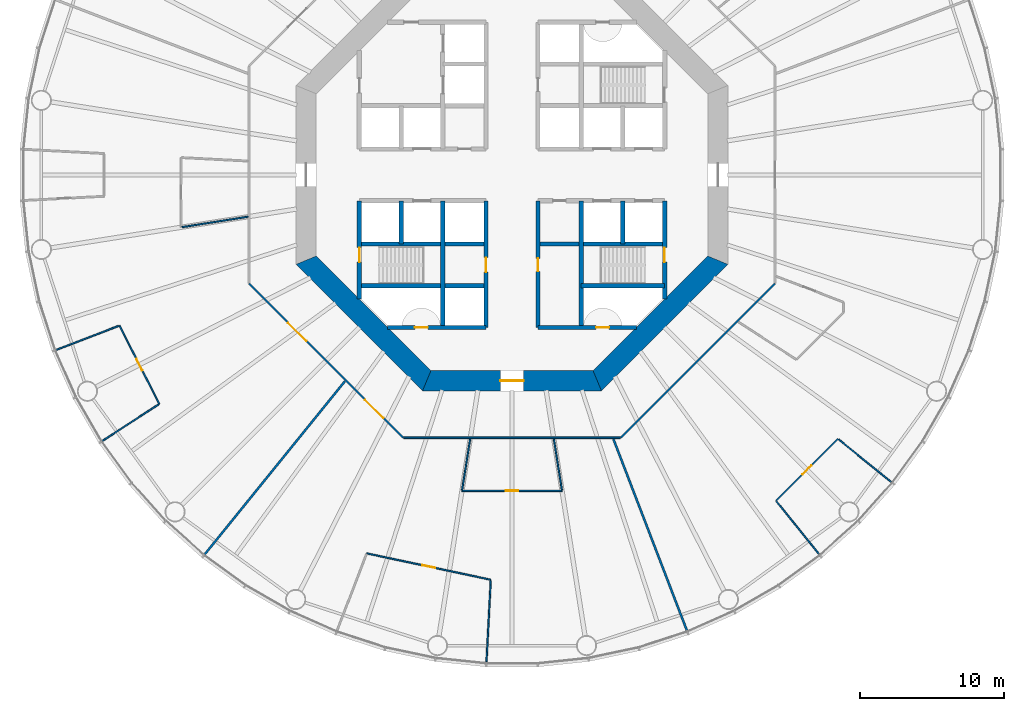
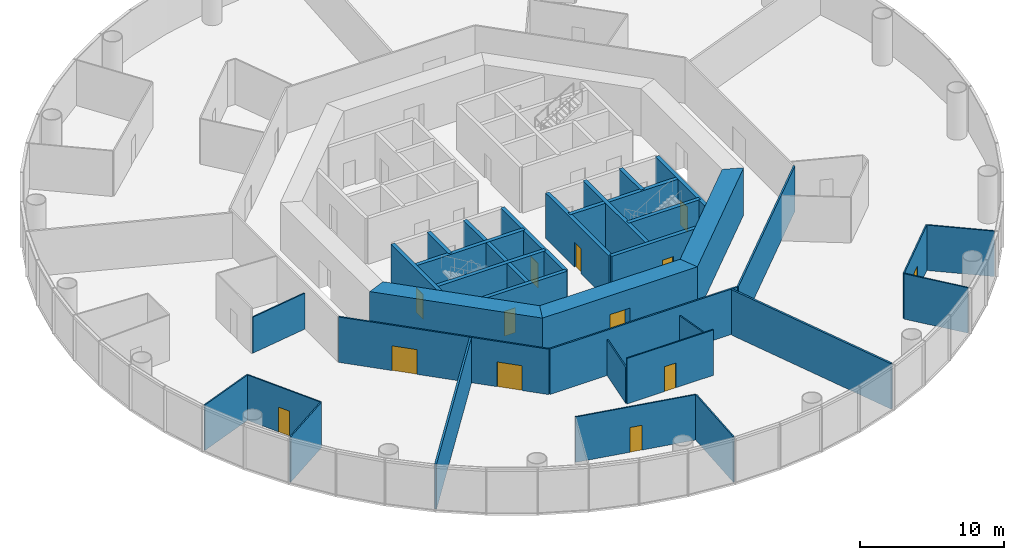
# One storey, part 3 of 13: 34 walls, 13 doors, 13 openings.
"""IFC4 building model written with IfcOpenShell, lengths in metres."""

from ifc_helpers import new_model, si_unit, direction, frame, frame_2d, origin, place, context, subcontext, project, spatial, polyline, rectangle, outline, extrude, material, layer, layer_set, type_object, element, fill, save


model = new_model("IFC4")

# Units and contexts
model_context = context("Model", 3, precision=1e-05, world=origin(), true_north=direction((0.0, 1.0)))
body_context = subcontext(model_context, "Body", "Model", "MODEL_VIEW")
ifc_project = project(units=[si_unit("LENGTHUNIT", "METRE"), si_unit("AREAUNIT", "SQUARE_METRE"), si_unit("VOLUMEUNIT", "CUBIC_METRE"), si_unit("PLANEANGLEUNIT", "RADIAN"), si_unit("MASSUNIT", "GRAM", prefix="KILO")], contexts=[model_context])

# Site, building, storey
site_placement = place(None, origin())
site = spatial("IfcSite", under=ifc_project, at=site_placement, CompositionType="ELEMENT")
building_placement = place(site_placement, origin())
building = spatial("IfcBuilding", under=site, at=building_placement, Name="Entoto Ring Tower", CompositionType="ELEMENT")
storey_placement = place(building_placement, frame((0.0, 0.0, 58.0)))
storey = spatial("IfcBuildingStorey", under=building, at=storey_placement, Name="L12", CompositionType="ELEMENT", Elevation=58.0)

# Wall, opening, door
ifc_material_1 = material(Name="Concrete C40/50", Category="concrete")
ifc_layer_1 = layer(ifc_material_1, 0.300048828125)
ifc_layer_set_1 = layer_set([ifc_layer_1], Name="Concrete C40/50")
wall_type_1 = type_object("IfcWallType", Name="Core enclosure wall 300 mm reinforced concrete", PredefinedType="SOLIDWALL", material=ifc_layer_set_1)
wall_1_placement = place(storey_placement, frame((100.60009765625, 71.36669921875, 0.0), z_axis=(0.0, 0.0, 1.0), x_axis=(0.0, 1.0, 0.0)))
wall_1 = element("IfcWall", 1, at=wall_1_placement, inside=storey, type_object=wall_type_1, Name="wall-L12-001", PredefinedType="SOLIDWALL", context=body_context, shape_type="SweptSolid", body=[
    extrude(rectangle(XDim=6.833251953125, YDim=0.300048828125, at=frame_2d((3.41650390625, 0.0))), origin(), (0.0, 0.0, 1.0), 3.85009765625),
])
opening_1_placement = place(wall_1_placement, frame((2.583251953125, 0.0, 0.0)))
opening_1 = element("IfcOpeningElement", 2, at=opening_1_placement, cuts=wall_1, Name="Opening K-59", PredefinedType="OPENING", context=body_context, shape_type="SweptSolid", body=[
    extrude(rectangle(XDim=1.0, YDim=2.10009765625, at=frame_2d((0.5, 1.050048828125))), frame((0.0, 0.16015625, 0.0), z_axis=(0.0, -1.0, 0.0), x_axis=(1.0, 0.0, 0.0)), (0.0, 0.0, 1.0), 0.320068359375),
])
ifc_material_2 = material(Name="Steel door leaf, fire rated", Category="steel")
ifc_layer_2 = layer(ifc_material_2, 0.050048828125)
ifc_layer_set_2 = layer_set([ifc_layer_2], Name="Steel door leaf, fire rated")
door_type_1 = type_object("IfcDoorType", Name="Fire door FD60 1000 x 2100 single leaf", OperationType="NOTDEFINED", PredefinedType="DOOR", material=ifc_layer_set_2)
door_1_placement = place(opening_1_placement, origin())
door_1 = element("IfcDoor", 3, at=door_1_placement, inside=storey, type_object=door_type_1, Name="Door K-59", OperationType="SINGLE_SWING_RIGHT", OverallHeight=2.10009765625, OverallWidth=1.0, PredefinedType="DOOR", context=body_context, shape_type="SweptSolid", body=[
    extrude(rectangle(XDim=1.0, YDim=2.10009765625, at=frame_2d((0.5, 1.050048828125))), frame((0.0, 0.02490234375, 0.0), z_axis=(0.0, -1.0, 0.0), x_axis=(1.0, 0.0, 0.0)), (0.0, 0.0, 1.0), 0.050048828125),
])
fill(opening_1, door_1)

# Walls
wall_2_placement = place(storey_placement, frame((97.699951171875, 75.199951171875, 0.0), z_axis=(0.0, 0.0, 1.0), x_axis=(0.0, 1.0, 0.0)))
element("IfcWall", 4, at=wall_2_placement, inside=storey, type_object=wall_type_1, Name="wall-L12-003", PredefinedType="SOLIDWALL", context=body_context, shape_type="SweptSolid", body=[
    extrude(rectangle(XDim=3.0, YDim=0.300048828125, at=frame_2d((1.5, 0.0))), origin(), (0.0, 0.0, 1.0), 3.85009765625),
])
wall_3_placement = place(storey_placement, frame((94.800048828125, 69.39990234375, 0.0), z_axis=(0.0, 0.0, 1.0), x_axis=(0.0, 1.0, 0.0)))
element("IfcWall", 5, at=wall_3_placement, inside=storey, type_object=wall_type_1, Name="wall-L12-005", PredefinedType="SOLIDWALL", context=body_context, shape_type="SweptSolid", body=[
    extrude(rectangle(XDim=8.800048828125, YDim=0.300048828125, at=frame_2d((4.39990234375, 0.0))), origin(), (0.0, 0.0, 1.0), 3.85009765625),
])

# Wall, opening, door
wall_4_placement = place(storey_placement, frame((91.800048828125, 69.39990234375, 0.0), z_axis=(0.0, 0.0, 1.0), x_axis=(0.0, 1.0, 0.0)))
wall_4 = element("IfcWall", 6, at=wall_4_placement, inside=storey, type_object=wall_type_1, Name="wall-L12-007", PredefinedType="SOLIDWALL", context=body_context, shape_type="SweptSolid", body=[
    extrude(rectangle(XDim=8.800048828125, YDim=0.300048828125, at=frame_2d((4.39990234375, 0.0))), origin(), (0.0, 0.0, 1.0), 3.85009765625),
])
opening_2_placement = place(wall_4_placement, frame((3.89990234375, 0.0, 0.0)))
opening_2 = element("IfcOpeningElement", 7, at=opening_2_placement, cuts=wall_4, Name="Opening K-12", PredefinedType="OPENING", context=body_context, shape_type="SweptSolid", body=[
    extrude(rectangle(XDim=0.89990234375, YDim=2.10009765625, at=frame_2d((0.449951171875, 1.050048828125))), frame((0.0, 0.16015625, 0.0), z_axis=(0.0, -1.0, 0.0), x_axis=(1.0, 0.0, 0.0)), (0.0, 0.0, 1.0), 0.320068359375),
])
ifc_material_3 = material(Name="Steel door leaf, fire rated", Category="steel")
ifc_layer_3 = layer(ifc_material_3, 0.050048828125)
ifc_layer_set_3 = layer_set([ifc_layer_3], Name="Steel door leaf, fire rated")
door_type_2 = type_object("IfcDoorType", Name="Core door 900 x 2100 single leaf", OperationType="NOTDEFINED", PredefinedType="DOOR", material=ifc_layer_set_3)
door_2_placement = place(opening_2_placement, frame((0.89990234375, 0.0, 0.0), z_axis=(0.0, 0.0, 1.0), x_axis=(-1.0, 0.0, 0.0)))
door_2 = element("IfcDoor", 8, at=door_2_placement, inside=storey, type_object=door_type_2, Name="Door K-12", OperationType="SINGLE_SWING_LEFT", OverallHeight=2.10009765625, OverallWidth=0.89990234375, PredefinedType="DOOR", context=body_context, shape_type="SweptSolid", body=[
    extrude(rectangle(XDim=0.89990234375, YDim=2.10009765625, at=frame_2d((0.449951171875, 1.050048828125))), frame((0.0, 0.02490234375, 0.0), z_axis=(0.0, -1.0, 0.0), x_axis=(1.0, 0.0, 0.0)), (0.0, 0.0, 1.0), 0.050048828125),
])
fill(opening_2, door_2)

wall_5_placement = place(storey_placement, frame((88.199951171875, 69.39990234375, 0.0), z_axis=(0.0, 0.0, 1.0), x_axis=(0.0, 1.0, 0.0)))
wall_5 = element("IfcWall", 9, at=wall_5_placement, inside=storey, type_object=wall_type_1, Name="wall-L12-009", PredefinedType="SOLIDWALL", context=body_context, shape_type="SweptSolid", body=[
    extrude(rectangle(XDim=8.800048828125, YDim=0.300048828125, at=frame_2d((4.39990234375, 0.0))), origin(), (0.0, 0.0, 1.0), 3.85009765625),
])
opening_3_placement = place(wall_5_placement, frame((3.85009765625, 0.0, 0.0)))
opening_3 = element("IfcOpeningElement", 10, at=opening_3_placement, cuts=wall_5, Name="Opening K-13", PredefinedType="OPENING", context=body_context, shape_type="SweptSolid", body=[
    extrude(rectangle(XDim=1.0, YDim=2.10009765625, at=frame_2d((0.5, 1.050048828125))), frame((0.0, 0.16015625, 0.0), z_axis=(0.0, -1.0, 0.0), x_axis=(1.0, 0.0, 0.0)), (0.0, 0.0, 1.0), 0.320068359375),
])
ifc_material_4 = material(Name="Steel door leaf, fire rated", Category="steel")
ifc_layer_4 = layer(ifc_material_4, 0.050048828125)
ifc_layer_set_4 = layer_set([ifc_layer_4], Name="Steel door leaf, fire rated")
door_type_3 = type_object("IfcDoorType", Name="Accessible door 1000 x 2100 single leaf", OperationType="NOTDEFINED", PredefinedType="DOOR", material=ifc_layer_set_4)
door_3_placement = place(opening_3_placement, origin())
door_3 = element("IfcDoor", 11, at=door_3_placement, inside=storey, type_object=door_type_3, Name="Door K-13", OperationType="SINGLE_SWING_LEFT", OverallHeight=2.10009765625, OverallWidth=1.0, PredefinedType="DOOR", context=body_context, shape_type="SweptSolid", body=[
    extrude(rectangle(XDim=1.0, YDim=2.10009765625, at=frame_2d((0.5, 1.050048828125))), frame((0.0, 0.02490234375, 0.0), z_axis=(0.0, -1.0, 0.0), x_axis=(1.0, 0.0, 0.0)), (0.0, 0.0, 1.0), 0.050048828125),
])
fill(opening_3, door_3)

# Walls
wall_6_placement = place(storey_placement, frame((85.199951171875, 69.39990234375, 0.0), z_axis=(0.0, 0.0, 1.0), x_axis=(0.0, 1.0, 0.0)))
element("IfcWall", 12, at=wall_6_placement, inside=storey, type_object=wall_type_1, Name="wall-L12-011", PredefinedType="SOLIDWALL", context=body_context, shape_type="SweptSolid", body=[
    extrude(rectangle(XDim=8.800048828125, YDim=0.300048828125, at=frame_2d((4.39990234375, 0.0))), origin(), (0.0, 0.0, 1.0), 3.85009765625),
])
wall_7_placement = place(storey_placement, frame((82.300048828125, 75.199951171875, 0.0), z_axis=(0.0, 0.0, 1.0), x_axis=(0.0, 1.0, 0.0)))
element("IfcWall", 13, at=wall_7_placement, inside=storey, type_object=wall_type_1, Name="wall-L12-013", PredefinedType="SOLIDWALL", context=body_context, shape_type="SweptSolid", body=[
    extrude(rectangle(XDim=3.0, YDim=0.300048828125, at=frame_2d((1.5, 0.0))), origin(), (0.0, 0.0, 1.0), 3.85009765625),
])

# Wall, opening, door
wall_8_placement = place(storey_placement, frame((79.39990234375, 71.36669921875, 0.0), z_axis=(0.0, 0.0, 1.0), x_axis=(0.0, 1.0, 0.0)))
wall_8 = element("IfcWall", 14, at=wall_8_placement, inside=storey, type_object=wall_type_1, Name="wall-L12-015", PredefinedType="SOLIDWALL", context=body_context, shape_type="SweptSolid", body=[
    extrude(rectangle(XDim=6.833251953125, YDim=0.300048828125, at=frame_2d((3.41650390625, 0.0))), origin(), (0.0, 0.0, 1.0), 3.85009765625),
])
opening_4_placement = place(wall_8_placement, frame((2.583251953125, 0.0, 0.0)))
opening_4 = element("IfcOpeningElement", 15, at=opening_4_placement, cuts=wall_8, Name="Opening K-17", PredefinedType="OPENING", context=body_context, shape_type="SweptSolid", body=[
    extrude(rectangle(XDim=1.0, YDim=2.10009765625, at=frame_2d((0.5, 1.050048828125))), frame((0.0, 0.16015625, 0.0), z_axis=(0.0, -1.0, 0.0), x_axis=(1.0, 0.0, 0.0)), (0.0, 0.0, 1.0), 0.320068359375),
])
door_4_placement = place(opening_4_placement, frame((1.0, 0.0, 0.0), z_axis=(0.0, 0.0, 1.0), x_axis=(-1.0, 0.0, 0.0)))
door_4 = element("IfcDoor", 16, at=door_4_placement, inside=storey, type_object=door_type_1, Name="Door K-17", OperationType="SINGLE_SWING_LEFT", OverallHeight=2.10009765625, OverallWidth=1.0, PredefinedType="DOOR", context=body_context, shape_type="SweptSolid", body=[
    extrude(rectangle(XDim=1.0, YDim=2.10009765625, at=frame_2d((0.5, 1.050048828125))), frame((0.0, 0.02490234375, 0.0), z_axis=(0.0, -1.0, 0.0), x_axis=(1.0, 0.0, 0.0)), (0.0, 0.0, 1.0), 0.050048828125),
])
fill(opening_4, door_4)

wall_9_placement = place(storey_placement, frame((81.36669921875, 69.39990234375, 0.0), z_axis=(0.0, 0.0, 1.0), x_axis=(1.0, 0.0, 0.0)))
wall_9 = element("IfcWall", 17, at=wall_9_placement, inside=storey, type_object=wall_type_1, Name="wall-L12-017", PredefinedType="SOLIDWALL", context=body_context, shape_type="SweptSolid", body=[
    extrude(rectangle(XDim=6.833251953125, YDim=0.300048828125, at=frame_2d((3.41650390625, 0.0))), origin(), (0.0, 0.0, 1.0), 3.85009765625),
])
opening_5_placement = place(wall_9_placement, frame((1.88330078125, 0.0, 0.0)))
opening_5 = element("IfcOpeningElement", 18, at=opening_5_placement, cuts=wall_9, Name="Opening K-20", PredefinedType="OPENING", context=body_context, shape_type="SweptSolid", body=[
    extrude(rectangle(XDim=0.89990234375, YDim=2.10009765625, at=frame_2d((0.449951171875, 1.050048828125))), frame((0.0, 0.16015625, 0.0), z_axis=(0.0, -1.0, 0.0), x_axis=(1.0, 0.0, 0.0)), (0.0, 0.0, 1.0), 0.320068359375),
])
ifc_material_5 = material(Name="Steel door leaf, fire rated", Category="steel")
ifc_layer_5 = layer(ifc_material_5, 0.050048828125)
ifc_layer_set_5 = layer_set([ifc_layer_5], Name="Steel door leaf, fire rated")
door_type_4 = type_object("IfcDoorType", Name="Riser door FD60 900 x 2100 single leaf", OperationType="NOTDEFINED", PredefinedType="DOOR", material=ifc_layer_set_5)
door_5_placement = place(opening_5_placement, origin())
door_5 = element("IfcDoor", 19, at=door_5_placement, inside=storey, type_object=door_type_4, Name="Door K-20", OperationType="SINGLE_SWING_RIGHT", OverallHeight=2.10009765625, OverallWidth=0.89990234375, PredefinedType="DOOR", context=body_context, shape_type="SweptSolid", body=[
    extrude(rectangle(XDim=0.89990234375, YDim=2.10009765625, at=frame_2d((0.449951171875, 1.050048828125))), frame((0.0, 0.02490234375, 0.0), z_axis=(0.0, -1.0, 0.0), x_axis=(1.0, 0.0, 0.0)), (0.0, 0.0, 1.0), 0.050048828125),
])
fill(opening_5, door_5)

wall_10_placement = place(storey_placement, frame((91.800048828125, 69.39990234375, 0.0), z_axis=(0.0, 0.0, 1.0), x_axis=(1.0, 0.0, 0.0)))
wall_10 = element("IfcWall", 20, at=wall_10_placement, inside=storey, type_object=wall_type_1, Name="wall-L12-018", PredefinedType="SOLIDWALL", context=body_context, shape_type="SweptSolid", body=[
    extrude(rectangle(XDim=6.833251953125, YDim=0.300048828125, at=frame_2d((3.41650390625, 0.0))), origin(), (0.0, 0.0, 1.0), 3.85009765625),
])
opening_6_placement = place(wall_10_placement, frame((4.050048828125, 0.0, 0.0)))
opening_6 = element("IfcOpeningElement", 21, at=opening_6_placement, cuts=wall_10, Name="Opening K-66", PredefinedType="OPENING", context=body_context, shape_type="SweptSolid", body=[
    extrude(rectangle(XDim=0.89990234375, YDim=2.10009765625, at=frame_2d((0.449951171875, 1.050048828125))), frame((0.0, 0.16015625, 0.0), z_axis=(0.0, -1.0, 0.0), x_axis=(1.0, 0.0, 0.0)), (0.0, 0.0, 1.0), 0.320068359375),
])
door_6_placement = place(opening_6_placement, origin())
door_6 = element("IfcDoor", 22, at=door_6_placement, inside=storey, type_object=door_type_4, Name="Door K-66", OperationType="SINGLE_SWING_LEFT", OverallHeight=2.10009765625, OverallWidth=0.89990234375, PredefinedType="DOOR", context=body_context, shape_type="SweptSolid", body=[
    extrude(rectangle(XDim=0.89990234375, YDim=2.10009765625, at=frame_2d((0.449951171875, 1.050048828125))), frame((0.0, 0.02490234375, 0.0), z_axis=(0.0, -1.0, 0.0), x_axis=(1.0, 0.0, 0.0)), (0.0, 0.0, 1.0), 0.050048828125),
])
fill(opening_6, door_6)

# Walls
wall_11_placement = place(storey_placement, frame((79.39990234375, 72.300048828125, 0.0), z_axis=(0.0, 0.0, 1.0), x_axis=(1.0, 0.0, 0.0)))
element("IfcWall", 23, at=wall_11_placement, inside=storey, type_object=wall_type_1, Name="wall-L12-019", PredefinedType="SOLIDWALL", context=body_context, shape_type="SweptSolid", body=[
    extrude(rectangle(XDim=8.800048828125, YDim=0.300048828125, at=frame_2d((4.39990234375, 0.0))), origin(), (0.0, 0.0, 1.0), 3.85009765625),
])
wall_12_placement = place(storey_placement, frame((94.800048828125, 72.300048828125, 0.0), z_axis=(0.0, 0.0, 1.0), x_axis=(1.0, 0.0, 0.0)))
element("IfcWall", 24, at=wall_12_placement, inside=storey, type_object=wall_type_1, Name="wall-L12-020", PredefinedType="SOLIDWALL", context=body_context, shape_type="SweptSolid", body=[
    extrude(rectangle(XDim=5.800048828125, YDim=0.300048828125, at=frame_2d((2.89990234375, 0.0))), origin(), (0.0, 0.0, 1.0), 3.85009765625),
])
for number, where, z_axis, x_axis, name in (
    (25, (79.39990234375, 75.199951171875, 0.0), (0.0, 0.0, 1.0), (1.0, 0.0, 0.0), "wall-L12-021"),
    (26, (91.800048828125, 75.199951171875, 0.0), (0.0, 0.0, 1.0), (1.0, 0.0, 0.0), "wall-L12-022"),
):
    element("IfcWall", number, at=place(storey_placement, frame(where, z_axis=z_axis, x_axis=x_axis)), inside=storey, type_object=wall_type_1, Name=name, PredefinedType="SOLIDWALL", context=body_context, shape_type="SweptSolid", body=[
        extrude(rectangle(XDim=8.800048828125, YDim=0.300048828125, at=frame_2d((4.39990234375, 0.0))), origin(), (0.0, 0.0, 1.0), 3.85009765625),
    ])
ifc_material_6 = material(Name="Concrete C60/75", Category="concrete")
ifc_layer_6 = layer(ifc_material_6, 1.39990234375)
ifc_layer_set_6 = layer_set([ifc_layer_6], Name="Concrete C60/75")
wall_type_2 = type_object("IfcWallType", Name="Core shear wall 1400 mm reinforced concrete C60/75", PredefinedType="SHEAR", material=ifc_layer_set_6)
wall_13_placement = place(storey_placement, frame((75.699951171875, 74.07666015625, 0.0), z_axis=(0.0, 0.0, 1.0), x_axis=(0.707106781187, -0.707106781187, 0.0)))
element("IfcWall", 27, at=wall_13_placement, inside=storey, type_object=wall_type_2, Name="wall-L12-core-5", PredefinedType="SHEAR", context=body_context, shape_type="SweptSolid", body=[
    extrude(outline(polyline([(-0.2900390625, -0.699951171875), (12.136474609375, -0.699951171875), (11.556396484375, 0.699951171875), (0.2900390625, 0.699951171875), (-0.2900390625, -0.699951171875)])), origin(), (0.0, 0.0, 1.0), 4.0),
])

# Wall, opening, door
wall_14_placement = place(storey_placement, frame((84.07666015625, 65.699951171875, 0.0), z_axis=(0.0, 0.0, 1.0), x_axis=(1.0, 0.0, 0.0)))
wall_14 = element("IfcWall", 28, at=wall_14_placement, inside=storey, type_object=wall_type_2, Name="wall-L12-core-6", PredefinedType="SHEAR", context=body_context, shape_type="SweptSolid", body=[
    extrude(outline(polyline([(-0.2900390625, -0.699951171875), (12.13671875, -0.699951171875), (11.556640625, 0.699951171875), (0.2900390625, 0.699951171875), (-0.2900390625, -0.699951171875)])), origin(), (0.0, 0.0, 1.0), 4.0),
])
opening_7_placement = place(wall_14_placement, frame((5.123291015625, 0.0, 0.0)))
opening_7 = element("IfcOpeningElement", 29, at=opening_7_placement, cuts=wall_14, Name="Opening K-04", PredefinedType="OPENING", context=body_context, shape_type="SweptSolid", body=[
    extrude(rectangle(XDim=1.60009765625, YDim=2.39990234375, at=frame_2d((0.800048828125, 1.199951171875))), frame((0.0, 0.7099609375, 0.0), z_axis=(0.0, -1.0, 0.0), x_axis=(1.0, 0.0, 0.0)), (0.0, 0.0, 1.0), 1.419921875),
])
ifc_material_7 = material(Name="Steel door leaf, fire rated", Category="steel")
ifc_layer_7 = layer(ifc_material_7, 0.050048828125)
ifc_layer_set_7 = layer_set([ifc_layer_7], Name="Steel door leaf, fire rated")
door_type_5 = type_object("IfcDoorType", Name="Entrance door FD60 1600 x 2400 double leaf", OperationType="DOUBLE_DOOR_SINGLE_SWING", PredefinedType="DOOR", material=ifc_layer_set_7)
door_7_placement = place(opening_7_placement, origin())
door_7 = element("IfcDoor", 30, at=door_7_placement, inside=storey, type_object=door_type_5, Name="Entrance door K-04", OperationType="DOUBLE_DOOR_SINGLE_SWING", OverallHeight=2.39990234375, OverallWidth=1.60009765625, PredefinedType="DOOR", context=body_context, shape_type="SweptSolid", body=[
    extrude(rectangle(XDim=1.60009765625, YDim=2.39990234375, at=frame_2d((0.800048828125, 1.199951171875))), frame((0.0, 0.02490234375, 0.0), z_axis=(0.0, -1.0, 0.0), x_axis=(1.0, 0.0, 0.0)), (0.0, 0.0, 1.0), 0.050048828125),
])
fill(opening_7, door_7)

# Wall
wall_15_placement = place(storey_placement, frame((95.92333984375, 65.699951171875, 0.0), z_axis=(0.0, 0.0, 1.0), x_axis=(0.707106781187, 0.707106781187, 0.0)))
element("IfcWall", 31, at=wall_15_placement, inside=storey, type_object=wall_type_2, Name="wall-L12-core-7", PredefinedType="SHEAR", context=body_context, shape_type="SweptSolid", body=[
    extrude(outline(polyline([(-0.2900390625, -0.699951171875), (12.136474609375, -0.699951171875), (11.556396484375, 0.699951171875), (0.2900390625, 0.699951171875), (-0.2900390625, -0.699951171875)])), origin(), (0.0, 0.0, 1.0), 4.0),
])

# Wall, openings, doors
ifc_material_8 = material(Name="Fire-resisting plasterboard on steel studs", Category="steel")
ifc_layer_8 = layer(ifc_material_8, 0.125)
ifc_layer_set_8 = layer_set([ifc_layer_8], Name="Fire-resisting plasterboard on steel studs")
wall_type_3 = type_object("IfcWallType", Name="Corridor wall 125 mm one-hour plasterboard on steel studs", PredefinedType="PARTITIONING", material=ifc_layer_set_8)
wall_16_placement = place(storey_placement, frame((82.435302734375, 61.737548828125, 0.0), z_axis=(0.0, 0.0, 1.0), x_axis=(-0.707106781187, 0.707106781187, 0.0)))
wall_16 = element("IfcWall", 32, at=wall_16_placement, inside=storey, type_object=wall_type_3, Name="partition-L12-002", PredefinedType="PARTITIONING", context=body_context, shape_type="SweptSolid", body=[
    extrude(rectangle(XDim=15.12890625, YDim=0.125, at=frame_2d((7.564453125, 0.0))), origin(), (0.0, 0.0, 1.0), 3.85009765625),
])
opening_8_placement = place(wall_16_placement, frame((9.487060546875, 0.0, 0.0)))
opening_8 = element("IfcOpeningElement", 33, at=opening_8_placement, cuts=wall_16, Name="Opening A05-D01", PredefinedType="OPENING", context=body_context, shape_type="SweptSolid", body=[
    extrude(rectangle(XDim=1.800048828125, YDim=2.10009765625, at=frame_2d((0.89990234375, 1.050048828125))), frame((0.0, 0.072509765625, 0.0), z_axis=(0.0, -1.0, 0.0), x_axis=(1.0, 0.0, 0.0)), (0.0, 0.0, 1.0), 0.14501953125),
])
opening_9_placement = place(wall_16_placement, frame((1.922607421875, 0.0, 0.0)))
opening_9 = element("IfcOpeningElement", 34, at=opening_9_placement, cuts=wall_16, Name="Opening A05-D05", PredefinedType="OPENING", context=body_context, shape_type="SweptSolid", body=[
    extrude(rectangle(XDim=1.800048828125, YDim=2.10009765625, at=frame_2d((0.89990234375, 1.050048828125))), frame((0.0, 0.072509765625, 0.0), z_axis=(0.0, -1.0, 0.0), x_axis=(1.0, 0.0, 0.0)), (0.0, 0.0, 1.0), 0.14501953125),
])
ifc_material_9 = material(Name="Fire-resisting timber door set", Category="wood")
door_type_6 = type_object("IfcDoorType", Name="Door 1800 x 2100 double leaf FD30S fire door", OperationType="DOUBLE_DOOR_SINGLE_SWING", PredefinedType="DOOR", material=ifc_material_9)
door_8_placement = place(opening_8_placement, origin())
door_8 = element("IfcDoor", 35, at=door_8_placement, inside=storey, type_object=door_type_6, Name="Door A05-D01", OperationType="DOUBLE_DOOR_SINGLE_SWING", OverallHeight=2.10009765625, OverallWidth=1.800048828125, PredefinedType="DOOR", context=body_context, shape_type="SweptSolid", body=[
    extrude(rectangle(XDim=1.800048828125, YDim=2.10009765625, at=frame_2d((0.89990234375, 1.050048828125))), frame((0.0, 0.02490234375, 0.0), z_axis=(0.0, -1.0, 0.0), x_axis=(1.0, 0.0, 0.0)), (0.0, 0.0, 1.0), 0.050048828125),
])
fill(opening_8, door_8)
door_9_placement = place(opening_9_placement, origin())
door_9 = element("IfcDoor", 36, at=door_9_placement, inside=storey, type_object=door_type_6, Name="Door A05-D05", OperationType="DOUBLE_DOOR_SINGLE_SWING", OverallHeight=2.10009765625, OverallWidth=1.800048828125, PredefinedType="DOOR", context=body_context, shape_type="SweptSolid", body=[
    extrude(rectangle(XDim=1.800048828125, YDim=2.10009765625, at=frame_2d((0.89990234375, 1.050048828125))), frame((0.0, 0.02490234375, 0.0), z_axis=(0.0, -1.0, 0.0), x_axis=(1.0, 0.0, 0.0)), (0.0, 0.0, 1.0), 0.050048828125),
])
fill(opening_9, door_9)

# Walls
wall_17_placement = place(storey_placement, frame((97.564697265625, 61.737548828125, 0.0), z_axis=(0.0, 0.0, 1.0), x_axis=(0.707106781187, 0.707106781187, 0.0)))
element("IfcWall", 37, at=wall_17_placement, inside=storey, type_object=wall_type_3, Name="partition-L12-003", PredefinedType="PARTITIONING", context=body_context, shape_type="SweptSolid", body=[
    extrude(rectangle(XDim=15.12890625, YDim=0.125, at=frame_2d((7.564453125, 0.0))), origin(), (0.0, 0.0, 1.0), 3.85009765625),
])
wall_18_placement = place(storey_placement, frame((82.4794921875, 61.737548828125, 0.0), z_axis=(0.0, 0.0, 1.0), x_axis=(1.0, 0.0, 0.0)))
element("IfcWall", 38, at=wall_18_placement, inside=storey, type_object=wall_type_3, Name="partition-L12-006", PredefinedType="PARTITIONING", context=body_context, shape_type="SweptSolid", body=[
    extrude(rectangle(XDim=15.041015625, YDim=0.125, at=frame_2d((7.5205078125, 0.0))), origin(), (0.0, 0.0, 1.0), 3.85009765625),
])

# Wall, opening, door
ifc_material_10 = material(Name="Plasterboard on steel studs", Category="steel")
ifc_layer_9 = layer(ifc_material_10, 0.10009765625)
ifc_layer_set_9 = layer_set([ifc_layer_9], Name="Plasterboard on steel studs")
wall_type_4 = type_object("IfcWallType", Name="Partition 100 mm plasterboard on steel studs", PredefinedType="PARTITIONING", material=ifc_layer_set_9)
wall_19_placement = place(storey_placement, frame((88.526123046875, 51.878662109375, 0.0), z_axis=(0.0, 0.0, 1.0), x_axis=(-0.978146594853, 0.20791642306, 0.0)))
wall_19 = element("IfcWall", 39, at=wall_19_placement, inside=storey, type_object=wall_type_4, Name="partition-L12-014", PredefinedType="PARTITIONING", context=body_context, shape_type="SweptSolid", body=[
    extrude(rectangle(XDim=8.810302734375, YDim=0.10009765625, at=frame_2d((4.4052734375, 0.0))), origin(), (0.0, 0.0, 1.0), 3.85009765625),
])
opening_10_placement = place(wall_19_placement, frame((3.955078125, 0.0, 0.0)))
opening_10 = element("IfcOpeningElement", 40, at=opening_10_placement, cuts=wall_19, Name="Opening A05-D07", PredefinedType="OPENING", context=body_context, shape_type="SweptSolid", body=[
    extrude(rectangle(XDim=0.89990234375, YDim=2.10009765625, at=frame_2d((0.449951171875, 1.050048828125))), frame((0.0, 0.06005859375, 0.0), z_axis=(0.0, -1.0, 0.0), x_axis=(1.0, 0.0, 0.0)), (0.0, 0.0, 1.0), 0.1201171875),
])
ifc_material_11 = material(Name="Veneered timber door leaf in timber frame", Category="wood")
door_type_7 = type_object("IfcDoorType", Name="Door 900 x 2100 single leaf timber veneer", OperationType="NOTDEFINED", PredefinedType="DOOR", material=ifc_material_11)
door_10_placement = place(opening_10_placement, origin())
door_10 = element("IfcDoor", 41, at=door_10_placement, inside=storey, type_object=door_type_7, Name="Door A05-D07", OperationType="SINGLE_SWING_RIGHT", OverallHeight=2.10009765625, OverallWidth=0.89990234375, PredefinedType="DOOR", context=body_context, shape_type="SweptSolid", body=[
    extrude(rectangle(XDim=0.89990234375, YDim=2.10009765625, at=frame_2d((0.449951171875, 1.050048828125))), frame((0.0, 0.02490234375, 0.0), z_axis=(0.0, -1.0, 0.0), x_axis=(1.0, 0.0, 0.0)), (0.0, 0.0, 1.0), 0.050048828125),
])
fill(opening_10, door_10)

wall_20_placement = place(storey_placement, frame((86.524658203125, 58.0576171875, 0.0), z_axis=(0.0, 0.0, 1.0), x_axis=(1.0, 0.0, 0.0)))
wall_20 = element("IfcWall", 42, at=wall_20_placement, inside=storey, type_object=wall_type_4, Name="partition-L12-018", PredefinedType="PARTITIONING", context=body_context, shape_type="SweptSolid", body=[
    extrude(rectangle(XDim=6.95068359375, YDim=0.10009765625, at=frame_2d((3.475341796875, 0.0))), origin(), (0.0, 0.0, 1.0), 3.85009765625),
])
opening_11_placement = place(wall_20_placement, frame((3.025390625, 0.0, 0.0)))
opening_11 = element("IfcOpeningElement", 43, at=opening_11_placement, cuts=wall_20, Name="Opening A05-D06", PredefinedType="OPENING", context=body_context, shape_type="SweptSolid", body=[
    extrude(rectangle(XDim=0.89990234375, YDim=2.10009765625, at=frame_2d((0.449951171875, 1.050048828125))), frame((0.0, 0.06005859375, 0.0), z_axis=(0.0, -1.0, 0.0), x_axis=(1.0, 0.0, 0.0)), (0.0, 0.0, 1.0), 0.1201171875),
])
door_11_placement = place(opening_11_placement, origin())
door_11 = element("IfcDoor", 44, at=door_11_placement, inside=storey, type_object=door_type_7, Name="Door A05-D06", OperationType="SINGLE_SWING_RIGHT", OverallHeight=2.10009765625, OverallWidth=0.89990234375, PredefinedType="DOOR", context=body_context, shape_type="SweptSolid", body=[
    extrude(rectangle(XDim=0.89990234375, YDim=2.10009765625, at=frame_2d((0.449951171875, 1.050048828125))), frame((0.0, 0.02490234375, 0.0), z_axis=(0.0, -1.0, 0.0), x_axis=(1.0, 0.0, 0.0)), (0.0, 0.0, 1.0), 0.050048828125),
])
fill(opening_11, door_11)

wall_21_placement = place(storey_placement, frame((65.50244140625, 64.091064453125, 0.0), z_axis=(0.0, 0.0, 1.0), x_axis=(-0.454013220011, 0.890994947267, 0.0)))
wall_21 = element("IfcWall", 45, at=wall_21_placement, inside=storey, type_object=wall_type_4, Name="partition-L12-019", PredefinedType="PARTITIONING", context=body_context, shape_type="SweptSolid", body=[
    extrude(rectangle(XDim=6.1064453125, YDim=0.10009765625, at=frame_2d((3.05322265625, 0.0))), origin(), (0.0, 0.0, 1.0), 3.85009765625),
])
opening_12_placement = place(wall_21_placement, frame((2.603271484375, 0.0, 0.0)))
opening_12 = element("IfcOpeningElement", 46, at=opening_12_placement, cuts=wall_21, Name="Opening A05-D04", PredefinedType="OPENING", context=body_context, shape_type="SweptSolid", body=[
    extrude(rectangle(XDim=0.89990234375, YDim=2.10009765625, at=frame_2d((0.449951171875, 1.050048828125))), frame((0.0, 0.06005859375, 0.0), z_axis=(0.0, -1.0, 0.0), x_axis=(1.0, 0.0, 0.0)), (0.0, 0.0, 1.0), 0.1201171875),
])
door_12_placement = place(opening_12_placement, origin())
door_12 = element("IfcDoor", 47, at=door_12_placement, inside=storey, type_object=door_type_7, Name="Door A05-D04", OperationType="SINGLE_SWING_RIGHT", OverallHeight=2.10009765625, OverallWidth=0.89990234375, PredefinedType="DOOR", context=body_context, shape_type="SweptSolid", body=[
    extrude(rectangle(XDim=0.89990234375, YDim=2.10009765625, at=frame_2d((0.449951171875, 1.050048828125))), frame((0.0, 0.02490234375, 0.0), z_axis=(0.0, -1.0, 0.0), x_axis=(1.0, 0.0, 0.0)), (0.0, 0.0, 1.0), 0.050048828125),
])
fill(opening_12, door_12)

wall_22_placement = place(storey_placement, frame((108.33837890625, 57.35400390625, 0.0), z_axis=(0.0, 0.0, 1.0), x_axis=(0.707106781187, 0.707106781187, 0.0)))
wall_22 = element("IfcWall", 48, at=wall_22_placement, inside=storey, type_object=wall_type_4, Name="partition-L12-020", PredefinedType="PARTITIONING", context=body_context, shape_type="SweptSolid", body=[
    extrude(rectangle(XDim=6.091796875, YDim=0.10009765625, at=frame_2d((3.0458984375, 0.0))), origin(), (0.0, 0.0, 1.0), 3.85009765625),
])
opening_13_placement = place(wall_22_placement, frame((2.595947265625, 0.0, 0.0)))
opening_13 = element("IfcOpeningElement", 49, at=opening_13_placement, cuts=wall_22, Name="Opening A05-D10", PredefinedType="OPENING", context=body_context, shape_type="SweptSolid", body=[
    extrude(rectangle(XDim=0.89990234375, YDim=2.10009765625, at=frame_2d((0.449951171875, 1.050048828125))), frame((0.0, 0.06005859375, 0.0), z_axis=(0.0, -1.0, 0.0), x_axis=(1.0, 0.0, 0.0)), (0.0, 0.0, 1.0), 0.1201171875),
])
door_13_placement = place(opening_13_placement, frame((0.89990234375, 0.0, 0.0), z_axis=(0.0, 0.0, 1.0), x_axis=(-1.0, 0.0, 0.0)))
door_13 = element("IfcDoor", 50, at=door_13_placement, inside=storey, type_object=door_type_7, Name="Door A05-D10", OperationType="SINGLE_SWING_LEFT", OverallHeight=2.10009765625, OverallWidth=0.89990234375, PredefinedType="DOOR", context=body_context, shape_type="SweptSolid", body=[
    extrude(rectangle(XDim=0.89990234375, YDim=2.10009765625, at=frame_2d((0.449951171875, 1.050048828125))), frame((0.0, 0.02490234375, 0.0), z_axis=(0.0, -1.0, 0.0), x_axis=(1.0, 0.0, 0.0)), (0.0, 0.0, 1.0), 0.050048828125),
])
fill(opening_13, door_13)

# Walls
wall_23_placement = place(storey_placement, frame((88.2236328125, 46.1064453125, 0.0), z_axis=(0.0, 0.0, 1.0), x_axis=(0.052357591588, 0.998628400659, 0.0)))
element("IfcWall", 51, at=wall_23_placement, inside=storey, type_object=wall_type_4, Name="partition-L12-026", PredefinedType="PARTITIONING", context=body_context, shape_type="SweptSolid", body=[
    extrude(rectangle(XDim=5.730712890625, YDim=0.10009765625, at=frame_2d((2.865234375, 0.0))), origin(), (0.0, 0.0, 1.0), 3.85009765625),
])
for number, where, z_axis, x_axis, name in (
    (52, (111.359130859375, 53.623779296875, 0.0), (0.0, 0.0, 1.0), (-0.629328325934, 0.777139535847, 0.0), "partition-L12-034"),
    (53, (116.376220703125, 58.640869140625, 0.0), (0.0, 0.0, 1.0), (-0.777139535847, 0.629328325934, 0.0), "partition-L12-035"),
):
    element("IfcWall", number, at=place(storey_placement, frame(where, z_axis=z_axis, x_axis=x_axis)), inside=storey, type_object=wall_type_4, Name=name, PredefinedType="PARTITIONING", context=body_context, shape_type="SweptSolid", body=[
        extrude(rectangle(XDim=4.750244140625, YDim=0.10009765625, at=frame_2d((2.375, 0.0))), origin(), (0.0, 0.0, 1.0), 3.85009765625),
    ])
for number, where, z_axis, x_axis, name in (
    (54, (58.314208984375, 67.8369140625, 0.0), (0.0, 0.0, 1.0), (0.933563228865, 0.358412747697, 0.0), "partition-L12-037"),
    (55, (61.535400390625, 61.514892578125, 0.0), (0.0, 0.0, 1.0), (0.838674744325, 0.5446326039, 0.0), "partition-L12-038"),
):
    element("IfcWall", number, at=place(storey_placement, frame(where, z_axis=z_axis, x_axis=x_axis)), inside=storey, type_object=wall_type_4, Name=name, PredefinedType="PARTITIONING", context=body_context, shape_type="SweptSolid", body=[
        extrude(rectangle(XDim=4.680419921875, YDim=0.10009765625, at=frame_2d((2.34033203125, 0.0))), origin(), (0.0, 0.0, 1.0), 3.85009765625),
    ])
ifc_material_12 = material(Name="Plasterboard on steel studs", Category="steel")
ifc_layer_10 = layer(ifc_material_12, 0.10009765625)
ifc_layer_set_10 = layer_set([ifc_layer_10], Name="Plasterboard on steel studs")
wall_type_5 = type_object("IfcWallType", Name="Partition 100 mm plasterboard on steel studs, 3050 mm high", PredefinedType="PARTITIONING", material=ifc_layer_set_10)
wall_24_placement = place(storey_placement, frame((67.0751953125, 76.369140625, 0.0), z_axis=(0.0, 0.0, 1.0), x_axis=(0.987688770103, 0.156431753211, 0.0)))
element("IfcWall", 56, at=wall_24_placement, inside=storey, type_object=wall_type_5, Name="partition-L12-036", PredefinedType="PARTITIONING", context=body_context, shape_type="SweptSolid", body=[
    extrude(rectangle(XDim=4.649169921875, YDim=0.10009765625, at=frame_2d((2.32470703125, 0.0))), origin(), (0.0, 0.0, 1.0), 3.050048828125),
])
for number, where, z_axis, x_axis, name in (
    (57, (86.53369140625, 58.115234375, 0.0), (0.0, 0.0, 1.0), (0.156478489952, 0.987681366728, 0.0), "partition-L12-043"),
    (58, (93.46630859375, 58.115234375, 0.0), (0.0, 0.0, 1.0), (-0.156478489952, 0.987681366728, 0.0), "partition-L12-044"),
):
    element("IfcWall", number, at=place(storey_placement, frame(where, z_axis=z_axis, x_axis=x_axis)), inside=storey, type_object=wall_type_5, Name=name, PredefinedType="PARTITIONING", context=body_context, shape_type="SweptSolid", body=[
        extrude(rectangle(XDim=3.59619140625, YDim=0.10009765625, at=frame_2d((1.798095703125, 0.0))), origin(), (0.0, 0.0, 1.0), 3.050048828125),
    ])
ifc_material_13 = material(Name="Fire-resisting acoustic plasterboard on steel studs", Category="steel")
ifc_layer_11 = layer(ifc_material_13, 0.14990234375)
ifc_layer_set_11 = layer_set([ifc_layer_11], Name="Fire-resisting acoustic plasterboard on steel studs")
wall_type_6 = type_object("IfcWallType", Name="Party wall 150 mm one-hour acoustic plasterboard on steel studs", PredefinedType="PARTITIONING", material=ifc_layer_set_11)
wall_25_placement = place(storey_placement, frame((68.640869140625, 53.623779296875, 0.0), z_axis=(0.0, 0.0, 1.0), x_axis=(0.62931915396, 0.777146963231, 0.0)))
element("IfcWall", 59, at=wall_25_placement, inside=storey, type_object=wall_type_6, Name="partition-L12-010", PredefinedType="PARTITIONING", context=body_context, shape_type="SweptSolid", body=[
    extrude(rectangle(XDim=15.506103515625, YDim=0.14990234375, at=frame_2d((7.7529296875, 0.0))), origin(), (0.0, 0.0, 1.0), 3.85009765625),
])
wall_26_placement = place(storey_placement, frame((102.1630859375, 48.314208984375, 0.0), z_axis=(0.0, 0.0, 1.0), x_axis=(-0.358366189501, 0.933581102113, 0.0)))
element("IfcWall", 60, at=wall_26_placement, inside=storey, type_object=wall_type_6, Name="partition-L12-012", PredefinedType="PARTITIONING", context=body_context, shape_type="SweptSolid", body=[
    extrude(rectangle(XDim=14.28271484375, YDim=0.14990234375, at=frame_2d((7.141357421875, 0.0))), origin(), (0.0, 0.0, 1.0), 3.85009765625),
])

save(model, "model.ifc")
